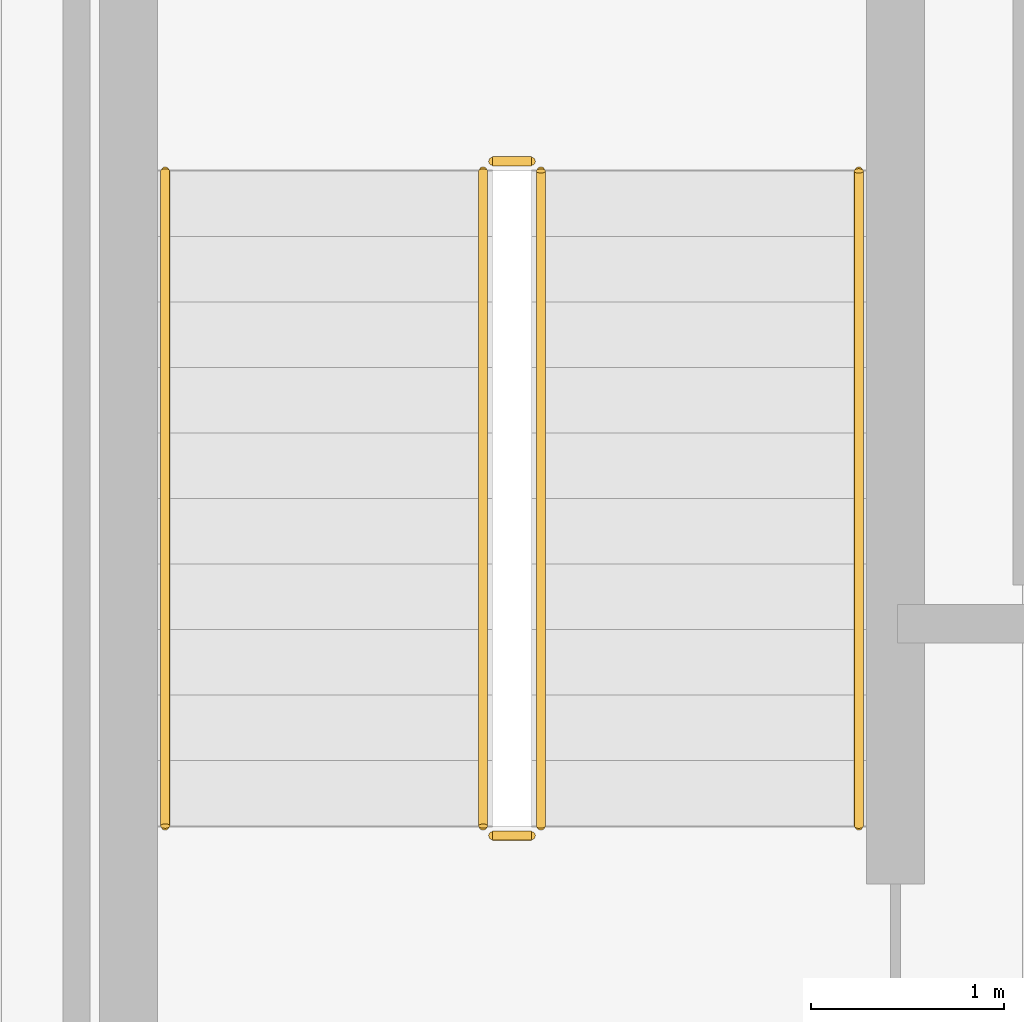
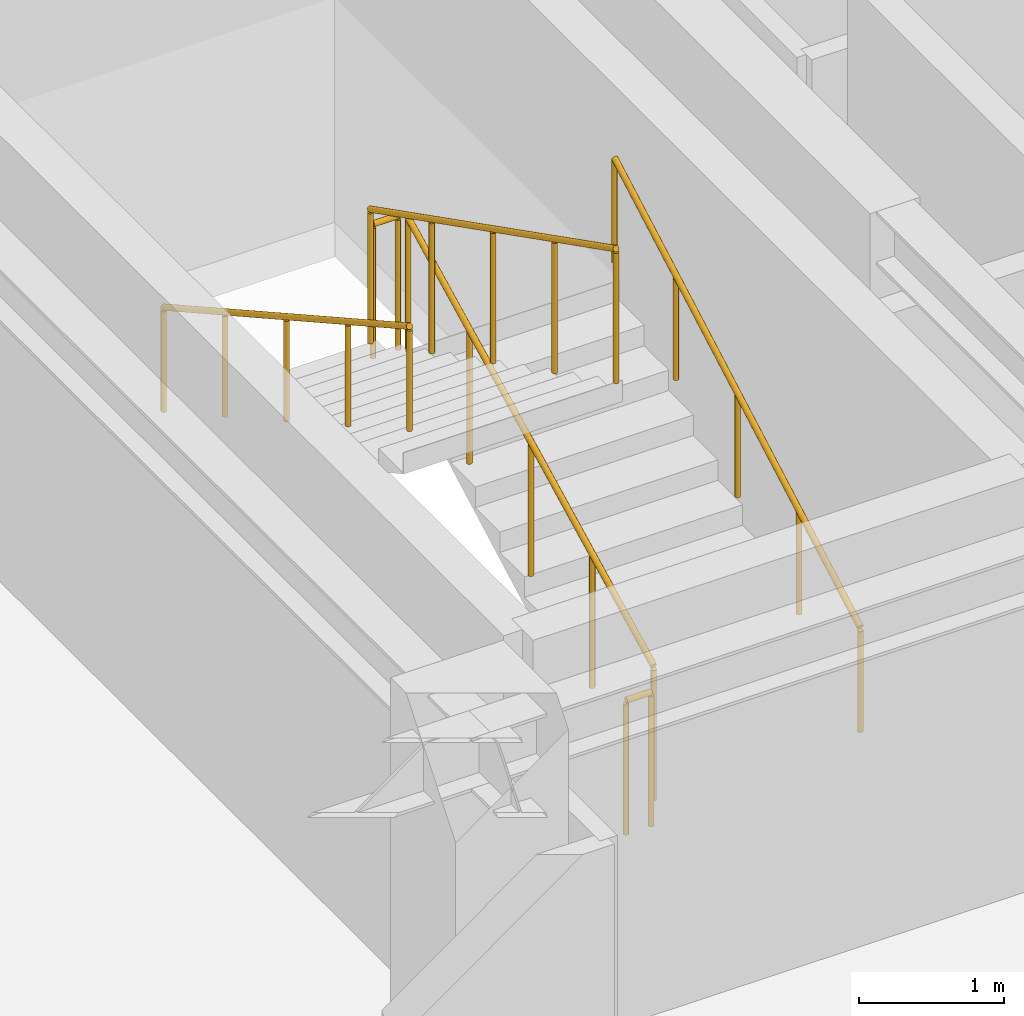
# One storey, part 30 of 31: 6 railings.
"""IFC4 building model written with IfcOpenShell, lengths in metres."""

from ifc_helpers import new_model, si_unit, direction, frame, origin, origin_2d, place, context, subcontext, project, spatial, circle, extrude, material, type_object, element, save


model = new_model("IFC4")

# Units and contexts
model_context = context("Model", 3, precision=1e-05, world=origin(), true_north=direction((0.0, 1.0)))
body_context = subcontext(model_context, "Body", "Model", "MODEL_VIEW")
ifc_project = project(units=[si_unit("LENGTHUNIT", "METRE"), si_unit("AREAUNIT", "SQUARE_METRE"), si_unit("VOLUMEUNIT", "CUBIC_METRE"), si_unit("PLANEANGLEUNIT", "RADIAN"), si_unit("MASSUNIT", "GRAM", prefix="KILO")], contexts=[model_context])

# Site, building, storey
site_placement = place(None, origin())
site = spatial("IfcSite", under=ifc_project, at=site_placement, CompositionType="ELEMENT")
building_placement = place(site_placement, origin())
building = spatial("IfcBuilding", under=site, at=building_placement, Name="Nahalor Promenade Grand Hotel", CompositionType="ELEMENT")
storey_placement = place(building_placement, frame((0.0, 0.0, 323.35009765625)))
storey = spatial("IfcBuildingStorey", under=building, at=storey_placement, Name="L83", CompositionType="ELEMENT", Elevation=323.35009765625)

# Railings
ifc_material = material(Name="Steel S355JR", Category="steel")
railing_type_1 = type_object("IfcRailingType", Name="Steel Stair Guardrail 1150 mm", PredefinedType="GUARDRAIL", material=ifc_material)
railing_1_placement = place(storey_placement, frame((5.75, 8.10009765625, 0.172607421875)))
element("IfcRailing", 1, at=railing_1_placement, inside=storey, type_object=railing_type_1, Name="L83 ST1 stair guard 1", PredefinedType="GUARDRAIL", context=body_context, shape_type="SweptSolid", body=[
    extrude(circle(Radius=0.024048, at=origin_2d()), frame((0.0, 0.0, 1.1259765625), z_axis=(0.0, 0.89154070688, 0.452940578858), x_axis=(-1.0, 0.0, 0.0)), (0.0, 0.0, 1.0), 3.8134765625),
    extrude(circle(Radius=0.020996, at=origin_2d()), origin(), (0.0, 0.0, 1.0), 1.099853515625),
    extrude(circle(Radius=0.020996, at=origin_2d()), frame((0.0, 0.85009765625, 0.431884765625)), (0.0, 0.0, 1.0), 1.099853515625),
    extrude(circle(Radius=0.020996, at=origin_2d()), frame((0.0, 1.699951171875, 0.86376953125)), (0.0, 0.0, 1.0), 1.099853515625),
    extrude(circle(Radius=0.020996, at=origin_2d()), frame((0.0, 2.5498046875, 1.29541015625)), (0.0, 0.0, 1.0), 1.099853515625),
    extrude(circle(Radius=0.020996, at=origin_2d()), frame((0.0, 3.39990234375, 1.727294921875)), (0.0, 0.0, 1.0), 1.099853515625),
])
railing_2_placement = place(storey_placement, frame((5.699951171875, 11.550048828125, 1.89990234375)))
element("IfcRailing", 2, at=railing_2_placement, inside=storey, type_object=railing_type_1, Name="L83 ST1 stair guard 2", PredefinedType="GUARDRAIL", context=body_context, shape_type="SweptSolid", body=[
    extrude(circle(Radius=0.024048, at=origin_2d()), frame((0.0, 0.0, 1.1259765625), z_axis=(-1.0, 0.0, 0.0), x_axis=(0.0, -1.0, 0.0)), (0.0, 0.0, 1.0), 0.199951171875),
    extrude(circle(Radius=0.020996, at=origin_2d()), origin(), (0.0, 0.0, 1.0), 1.099853515625),
    extrude(circle(Radius=0.020996, at=origin_2d()), frame((-0.199951171875, 0.0, 0.0)), (0.0, 0.0, 1.0), 1.099853515625),
])
railing_3_placement = place(storey_placement, frame((5.449951171875, 11.5, 2.072509765625)))
element("IfcRailing", 3, at=railing_3_placement, inside=storey, type_object=railing_type_1, Name="L83 ST1 stair guard 3", PredefinedType="GUARDRAIL", context=body_context, shape_type="SweptSolid", body=[
    extrude(circle(Radius=0.024048, at=origin_2d()), frame((0.0, 0.0, 1.1259765625), z_axis=(0.0, -0.89154070688, 0.452940578858), x_axis=(1.0, 0.0, 0.0)), (0.0, 0.0, 1.0), 3.8134765625),
    extrude(circle(Radius=0.020996, at=origin_2d()), origin(), (0.0, 0.0, 1.0), 1.099853515625),
    extrude(circle(Radius=0.020996, at=origin_2d()), frame((0.0, -0.85009765625, 0.431884765625)), (0.0, 0.0, 1.0), 1.099853515625),
    extrude(circle(Radius=0.020996, at=origin_2d()), frame((0.0, -1.699951171875, 0.86376953125)), (0.0, 0.0, 1.0), 1.099853515625),
    extrude(circle(Radius=0.020996, at=origin_2d()), frame((0.0, -2.5498046875, 1.29541015625)), (0.0, 0.0, 1.0), 1.099853515625),
    extrude(circle(Radius=0.020996, at=origin_2d()), frame((0.0, -3.39990234375, 1.727294921875)), (0.0, 0.0, 1.0), 1.099853515625),
])
railing_4_placement = place(storey_placement, frame((5.699951171875, 8.050048828125, 0.0)))
element("IfcRailing", 4, at=railing_4_placement, inside=storey, type_object=railing_type_1, Name="L83 ST1 stair guard 4", PredefinedType="GUARDRAIL", context=body_context, shape_type="SweptSolid", body=[
    extrude(circle(Radius=0.024048, at=origin_2d()), frame((0.0, 0.0, 1.1259765625), z_axis=(-1.0, 0.0, 0.0), x_axis=(0.0, -1.0, 0.0)), (0.0, 0.0, 1.0), 0.199951171875),
    extrude(circle(Radius=0.020996, at=origin_2d()), origin(), (0.0, 0.0, 1.0), 1.099853515625),
    extrude(circle(Radius=0.020996, at=origin_2d()), frame((-0.199951171875, 0.0, 0.0)), (0.0, 0.0, 1.0), 1.099853515625),
])
railing_type_2 = type_object("IfcRailingType", Name="Steel Stair Handrail 900 mm", PredefinedType="HANDRAIL", material=ifc_material)
railing_5_placement = place(storey_placement, frame((7.39990234375, 8.10009765625, 0.172607421875)))
element("IfcRailing", 5, at=railing_5_placement, inside=storey, type_object=railing_type_2, Name="L83 ST1 stair handrail 1", PredefinedType="HANDRAIL", context=body_context, shape_type="SweptSolid", body=[
    extrude(circle(Radius=0.024048, at=origin_2d()), frame((0.0, 0.0, 0.8759765625), z_axis=(0.0, 0.872948192752, 0.487812928048), x_axis=(-1.0, 0.0, 0.0)), (0.0, 0.0, 1.0), 3.894775390625),
    extrude(circle(Radius=0.020996, at=origin_2d()), origin(), (0.0, 0.0, 1.0), 0.849853515625),
    extrude(circle(Radius=0.020996, at=origin_2d()), frame((0.0, 0.85009765625, 0.47509765625)), (0.0, 0.0, 1.0), 0.849853515625),
    extrude(circle(Radius=0.020996, at=origin_2d()), frame((0.0, 1.699951171875, 0.949951171875)), (0.0, 0.0, 1.0), 0.849853515625),
    extrude(circle(Radius=0.020996, at=origin_2d()), frame((0.0, 2.5498046875, 1.4248046875)), (0.0, 0.0, 1.0), 0.849853515625),
    extrude(circle(Radius=0.020996, at=origin_2d()), frame((0.0, 3.39990234375, 1.89990234375)), (0.0, 0.0, 1.0), 0.849853515625),
])
railing_6_placement = place(storey_placement, frame((3.800048828125, 11.5, 2.072509765625)))
element("IfcRailing", 6, at=railing_6_placement, inside=storey, type_object=railing_type_2, Name="L83 ST1 stair handrail 2", PredefinedType="HANDRAIL", context=body_context, shape_type="SweptSolid", body=[
    extrude(circle(Radius=0.024048, at=origin_2d()), frame((0.0, 0.0, 0.8759765625), z_axis=(0.0, -0.872921498864, 0.487860694073), x_axis=(1.0, 0.0, 0.0)), (0.0, 0.0, 1.0), 3.894775390625),
    extrude(circle(Radius=0.020996, at=origin_2d()), origin(), (0.0, 0.0, 1.0), 0.849853515625),
    extrude(circle(Radius=0.020996, at=origin_2d()), frame((0.0, -0.85009765625, 0.47509765625)), (0.0, 0.0, 1.0), 0.849853515625),
    extrude(circle(Radius=0.020996, at=origin_2d()), frame((0.0, -1.699951171875, 0.9501953125)), (0.0, 0.0, 1.0), 0.849853515625),
    extrude(circle(Radius=0.020996, at=origin_2d()), frame((0.0, -2.5498046875, 1.425048828125)), (0.0, 0.0, 1.0), 0.849853515625),
    extrude(circle(Radius=0.020996, at=origin_2d()), frame((0.0, -3.39990234375, 1.900146484375)), (0.0, 0.0, 1.0), 0.849853515625),
])

save(model, "model.ifc")
